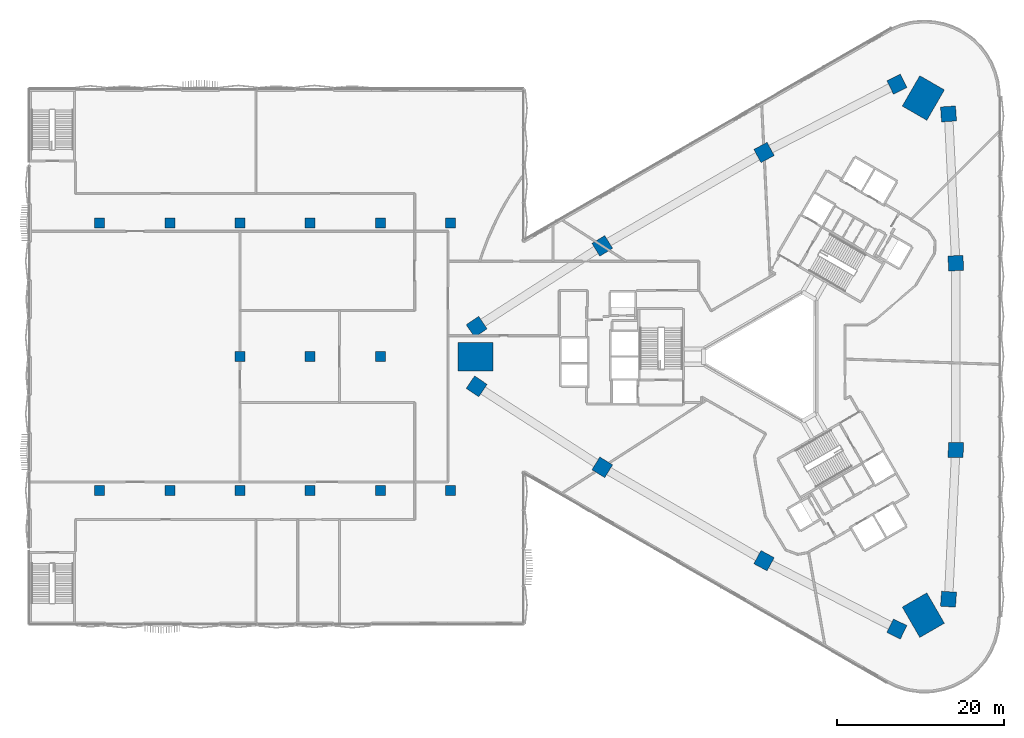
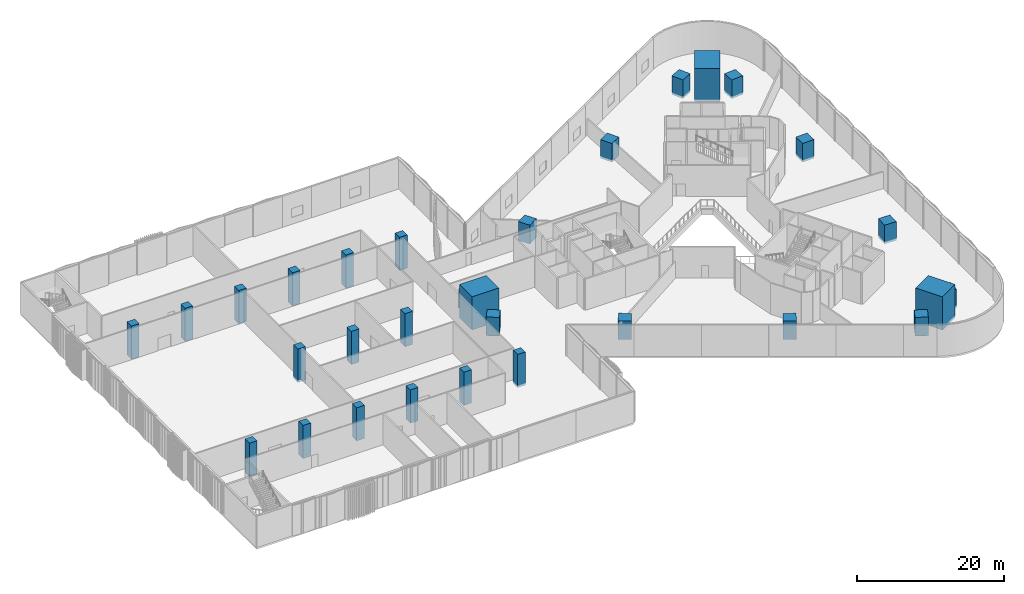
# One storey, part 1 of 31: 30 columns.
"""IFC4 building model written with IfcOpenShell, lengths in metres."""

from ifc_helpers import new_model, si_unit, direction, frame, origin, origin_2d, place, context, subcontext, project, spatial, rectangle, extrude, material, material_profile, profile_set, type_object, element, save


model = new_model("IFC4")

# Units and contexts
model_context = context("Model", 3, precision=1e-05, world=origin(), true_north=direction((0.0, 1.0)))
body_context = subcontext(model_context, "Body", "Model", "MODEL_VIEW")
ifc_project = project(units=[si_unit("LENGTHUNIT", "METRE"), si_unit("AREAUNIT", "SQUARE_METRE"), si_unit("VOLUMEUNIT", "CUBIC_METRE"), si_unit("PLANEANGLEUNIT", "RADIAN"), si_unit("MASSUNIT", "GRAM", prefix="KILO")], contexts=[model_context])

# Site, building, storey
site_placement = place(None, origin())
site = spatial("IfcSite", under=ifc_project, at=site_placement, CompositionType="ELEMENT")
building_placement = place(site_placement, origin())
building = spatial("IfcBuilding", under=site, at=building_placement, Name="Tamra Quay Hotel Tower", CompositionType="ELEMENT")
storey_placement = place(building_placement, frame((0.0, 0.0, 14.0)))
storey = spatial("IfcBuildingStorey", under=building, at=storey_placement, Name="L02", CompositionType="ELEMENT", Elevation=14.0)

# Columns
ifc_material = material(Name="Concrete M70", Category="concrete")
ifc_material_profile_1 = material_profile(ifc_material, rectangle(XDim=1.199951171875, YDim=1.199951171875, at=origin_2d()), Name="LATTICE COLUMN RC 1200x1200")
ifc_profile_set_1 = profile_set([ifc_material_profile_1], Name="Concrete M70")
column_type_1 = type_object("IfcColumnType", Name="LATTICE COLUMN RC 1200x1200", PredefinedType="COLUMN", material=ifc_profile_set_1)
for number, where, z_axis, x_axis, name in (
    (1, (-80.699951171875, -16.0, -0.35009765625), (0.0, 0.0, 1.0), (1.0, 0.0, 0.0), "COL-BC054-L02"),
    (2, (-80.699951171875, 16.0, -0.35009765625), (0.0, 0.0, 1.0), (1.0, 0.0, 0.0), "COL-BC056-L02"),
    (3, (-72.300048828125, -16.0, -0.35009765625), (0.0, 0.0, 1.0), (1.0, 0.0, 0.0), "COL-BC065-L02"),
    (4, (-72.300048828125, 16.0, -0.35009765625), (0.0, 0.0, 1.0), (1.0, 0.0, 0.0), "COL-BC067-L02"),
    (5, (-63.89990234375, -16.0, -0.35009765625), (0.0, 0.0, 1.0), (1.0, 0.0, 0.0), "COL-BC076-L02"),
    (6, (-63.89990234375, 0.0, -0.35009765625), (0.0, 0.0, 1.0), (1.0, 0.0, 0.0), "COL-BC077-L02"),
    (7, (-63.89990234375, 16.0, -0.35009765625), (0.0, 0.0, 1.0), (1.0, 0.0, 0.0), "COL-BC078-L02"),
    (8, (-55.5, -16.0, -0.35009765625), (0.0, 0.0, 1.0), (1.0, 0.0, 0.0), "COL-BC087-L02"),
    (9, (-55.5, 0.0, -0.35009765625), (0.0, 0.0, 1.0), (1.0, 0.0, 0.0), "COL-BC088-L02"),
    (10, (-55.5, 16.0, -0.35009765625), (0.0, 0.0, 1.0), (1.0, 0.0, 0.0), "COL-BC089-L02"),
    (11, (-47.10009765625, -16.0, -0.35009765625), (0.0, 0.0, 1.0), (1.0, 0.0, 0.0), "COL-BC098-L02"),
    (12, (-47.10009765625, 0.0, -0.35009765625), (0.0, 0.0, 1.0), (1.0, 0.0, 0.0), "COL-BC099-L02"),
    (13, (-47.10009765625, 16.0, -0.35009765625), (0.0, 0.0, 1.0), (1.0, 0.0, 0.0), "COL-BC100-L02"),
    (14, (-38.699951171875, -16.0, -0.35009765625), (0.0, 0.0, 1.0), (1.0, 0.0, 0.0), "COL-BC109-L02"),
    (15, (-38.699951171875, 16.0, -0.35009765625), (0.0, 0.0, 1.0), (1.0, 0.0, 0.0), "COL-BC110-L02"),
):
    element("IfcColumn", number, at=place(storey_placement, frame(where, z_axis=z_axis, x_axis=x_axis)), inside=storey, type_object=column_type_1, Name=name, PredefinedType="COLUMN", context=body_context, shape_type="SweptSolid", body=[
        extrude(rectangle(XDim=1.199951171875, YDim=1.199951171875, at=origin_2d()), origin(), (0.0, 0.0, 1.0), 5.5),
    ])
ifc_material_profile_2 = material_profile(ifc_material, rectangle(XDim=4.199951171875, YDim=3.39990234375, at=origin_2d()), Name="MEGA COLUMN RC 3400x4200 Z1")
ifc_profile_set_2 = profile_set([ifc_material_profile_2], Name="Concrete M70")
column_type_2 = type_object("IfcColumnType", Name="MEGA COLUMN RC 3400x4200 Z1", PredefinedType="COLUMN", material=ifc_profile_set_2)
for number, where, z_axis, x_axis, name in (
    (16, (17.864501953125, 30.942138671875, -0.35009765625), (0.0, 0.0, 1.0), (0.5, 0.866025403784, 0.0), "COL-M0NE-L02"),
    (17, (-35.72900390625, 0.0, -0.35009765625), (0.0, 0.0, 1.0), (1.0, 0.0, 0.0), "COL-M0W-L02"),
    (18, (17.864501953125, -30.942138671875, -0.35009765625), (0.0, 0.0, 1.0), (-0.5, 0.866025403784, 0.0), "COL-M0SE-L02"),
):
    element("IfcColumn", number, at=place(storey_placement, frame(where, z_axis=z_axis, x_axis=x_axis)), inside=storey, type_object=column_type_2, Name=name, PredefinedType="COLUMN", context=body_context, shape_type="SweptSolid", body=[
        extrude(rectangle(XDim=4.199951171875, YDim=3.39990234375, at=origin_2d()), origin(), (0.0, 0.0, 1.0), 5.5),
    ])
ifc_material_profile_3 = material_profile(ifc_material, rectangle(XDim=1.800048828125, YDim=1.800048828125, at=origin_2d()), Name="MIDFACE COLUMN RC 1800x1800")
ifc_profile_set_3 = profile_set([ifc_material_profile_3], Name="Concrete M70")
column_type_3 = type_object("IfcColumnType", Name="MIDFACE COLUMN RC 1800x1800", PredefinedType="COLUMN", material=ifc_profile_set_3)
for number, where, z_axis, x_axis, name in (
    (19, (20.87890625, -29.033935546875, -0.35009765625), (0.0, 0.0, 1.0), (-0.997561736499, 0.069789554182, 0.0), "COL-PRE1-L02"),
    (20, (21.7490234375, -11.17431640625, -0.35009765625), (0.0, 0.0, 1.0), (-0.999628128016, 0.02726913418, 0.0), "COL-PRE2-L02"),
    (21, (21.7490234375, 11.17431640625, -0.35009765625), (0.0, 0.0, 1.0), (0.999628128016, 0.02726913418, 0.0), "COL-PRE3-L02"),
    (22, (20.87890625, 29.033935546875, -0.35009765625), (0.0, 0.0, 1.0), (0.997561736499, 0.069789554182, 0.0), "COL-PRE4-L02"),
    (23, (14.70458984375, 32.5986328125, -0.35009765625), (0.0, 0.0, 1.0), (-0.438341341409, 0.898808582743, 0.0), "COL-PRNW1-L02"),
    (24, (-1.197265625, 24.422607421875, -0.35009765625), (0.0, 0.0, 1.0), (-0.476198301069, 0.879337920289, 0.0), "COL-PRNW2-L02"),
    (25, (-20.552001953125, 13.248046875, -0.35009765625), (0.0, 0.0, 1.0), (-0.523429826947, 0.85206878611, 0.0), "COL-PRNW3-L02"),
    (26, (-35.58349609375, 3.564697265625, -0.35009765625), (0.0, 0.0, 1.0), (-0.55922039509, 0.82901902856, 0.0), "COL-PRNW4-L02"),
    (27, (-35.58349609375, -3.564697265625, -0.35009765625), (0.0, 0.0, 1.0), (0.55922039509, 0.82901902856, 0.0), "COL-PRSW1-L02"),
    (28, (-20.552001953125, -13.248046875, -0.35009765625), (0.0, 0.0, 1.0), (0.523429826947, 0.85206878611, 0.0), "COL-PRSW2-L02"),
    (29, (-1.197265625, -24.422607421875, -0.35009765625), (0.0, 0.0, 1.0), (0.476198301069, 0.879337920289, 0.0), "COL-PRSW3-L02"),
    (30, (14.70458984375, -32.5986328125, -0.35009765625), (0.0, 0.0, 1.0), (0.438341341409, 0.898808582743, 0.0), "COL-PRSW4-L02"),
):
    element("IfcColumn", number, at=place(storey_placement, frame(where, z_axis=z_axis, x_axis=x_axis)), inside=storey, type_object=column_type_3, Name=name, PredefinedType="COLUMN", context=body_context, shape_type="SweptSolid", body=[
        extrude(rectangle(XDim=1.800048828125, YDim=1.800048828125, at=origin_2d()), origin(), (0.0, 0.0, 1.0), 3.10009765625),
    ])

save(model, "model.ifc")
